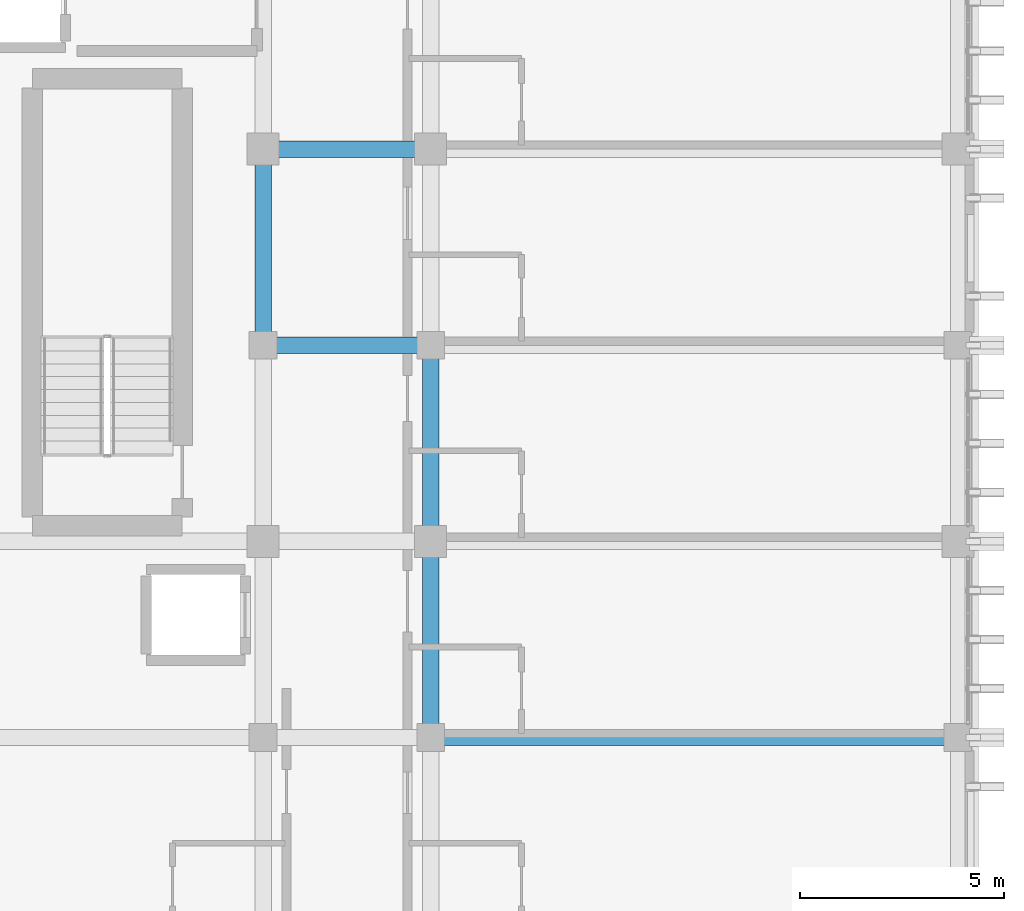
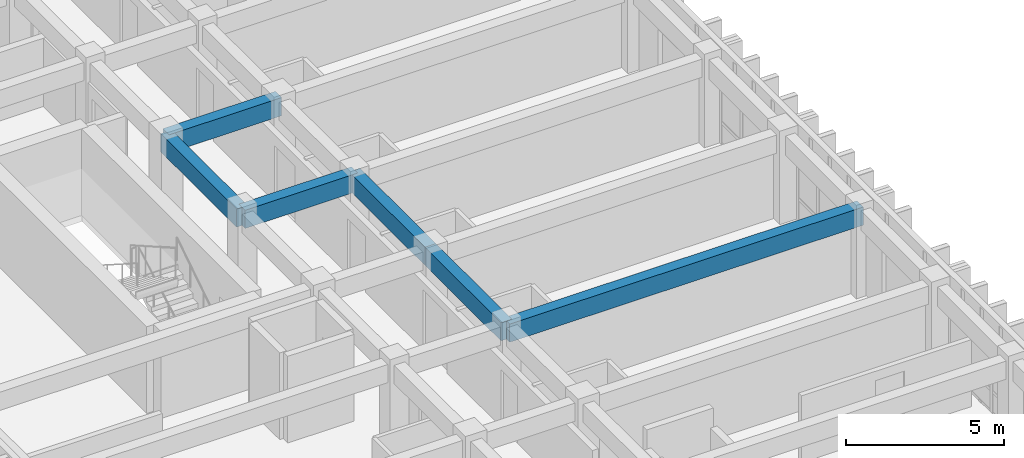
# One storey, part 28 of 68: 6 beams.
"""IFC4 building model written with IfcOpenShell, lengths in metres."""

from ifc_helpers import new_model, si_unit, direction, frame, origin, origin_2d, place, context, subcontext, project, spatial, rectangle, extrude, material, material_profile, profile_set, type_object, element, save


model = new_model("IFC4")

# Units and contexts
model_context = context("Model", 3, precision=1e-05, world=origin(), true_north=direction((0.0, 1.0)))
body_context = subcontext(model_context, "Body", "Model", "MODEL_VIEW")
ifc_project = project(units=[si_unit("LENGTHUNIT", "METRE"), si_unit("AREAUNIT", "SQUARE_METRE"), si_unit("VOLUMEUNIT", "CUBIC_METRE"), si_unit("PLANEANGLEUNIT", "RADIAN"), si_unit("MASSUNIT", "GRAM", prefix="KILO")], contexts=[model_context])

# Site, building, storey
site_placement = place(None, origin())
site = spatial("IfcSite", under=ifc_project, at=site_placement, CompositionType="ELEMENT")
building_placement = place(site_placement, origin())
building = spatial("IfcBuilding", under=site, at=building_placement, Name="Nakhvara Creek Congress Hotel", CompositionType="ELEMENT")
storey_placement = place(building_placement, frame((0.0, 0.0, 24.60009765625)))
storey = spatial("IfcBuildingStorey", under=building, at=storey_placement, Name="L05", CompositionType="ELEMENT", Elevation=24.60009765625)

# Beams
ifc_material = material(Name="Concrete C40/50", Category="concrete")
ifc_material_profile = material_profile(ifc_material, rectangle(XDim=0.39990234375, YDim=0.699951171875, at=origin_2d()), Name="RC-BM 400x700", Category="LoadBearing")
ifc_profile_set = profile_set([ifc_material_profile], Name="Concrete C40/50")
beam_type = type_object("IfcBeamType", Name="BM-RC-400X700", PredefinedType="BEAM", material=ifc_profile_set)
beam_1_placement = place(storey_placement, frame((162.35009765625, 86.39990234375, 2.989990234375), z_axis=(1.0, 0.0, 0.0), x_axis=(0.0, 1.0, 0.0)))
element("IfcBeam", 1, at=beam_1_placement, inside=storey, type_object=beam_type, Name="Beam B05-L05-2104", PredefinedType="BEAM", context=body_context, shape_type="SweptSolid", body=[
    extrude(rectangle(XDim=0.39990234375, YDim=0.699951171875, at=origin_2d()), origin(), (0.0, 0.0, 1.0), 4.099853515625),
])
beam_2_placement = place(storey_placement, frame((162.35009765625, 81.60009765625, 2.989990234375), z_axis=(0.0, 1.0, 0.0), x_axis=(-1.0, 0.0, 0.0)))
element("IfcBeam", 2, at=beam_2_placement, inside=storey, type_object=beam_type, Name="Beam B05-L05-2105", PredefinedType="BEAM", context=body_context, shape_type="SweptSolid", body=[
    extrude(rectangle(XDim=0.39990234375, YDim=0.699951171875, at=origin_2d()), origin(), (0.0, 0.0, 1.0), 4.7998046875),
])
for number, where, z_axis, x_axis, name in (
    (3, (166.449951171875, 72.0, 2.989990234375), (0.0, 1.0, 0.0), (-1.0, 0.0, 0.0), "Beam B05-L05-2131"),
    (4, (166.449951171875, 76.800048828125, 2.989990234375), (0.0, 1.0, 0.0), (-1.0, 0.0, 0.0), "Beam B05-L05-2132"),
):
    element("IfcBeam", number, at=place(storey_placement, frame(where, z_axis=z_axis, x_axis=x_axis)), inside=storey, type_object=beam_type, Name=name, PredefinedType="BEAM", context=body_context, shape_type="SweptSolid", body=[
        extrude(rectangle(XDim=0.39990234375, YDim=0.699951171875, at=origin_2d()), origin(), (0.0, 0.0, 1.0), 4.800048828125),
    ])
beam_3_placement = place(storey_placement, frame((162.35009765625, 81.60009765625, 2.989990234375), z_axis=(1.0, 0.0, 0.0), x_axis=(0.0, 1.0, 0.0)))
element("IfcBeam", 5, at=beam_3_placement, inside=storey, type_object=beam_type, Name="Beam B05-L05-2180", PredefinedType="BEAM", context=body_context, shape_type="SweptSolid", body=[
    extrude(rectangle(XDim=0.39990234375, YDim=0.699951171875, at=origin_2d()), origin(), (0.0, 0.0, 1.0), 4.099853515625),
])
beam_4_placement = place(storey_placement, frame((166.449951171875, 72.0, 2.989990234375), z_axis=(1.0, 0.0, 0.0), x_axis=(0.0, 1.0, 0.0)))
element("IfcBeam", 6, at=beam_4_placement, inside=storey, type_object=beam_type, Name="Beam B05-L05-2187", PredefinedType="BEAM", context=body_context, shape_type="SweptSolid", body=[
    extrude(rectangle(XDim=0.39990234375, YDim=0.699951171875, at=origin_2d()), origin(), (0.0, 0.0, 1.0), 12.900146484375),
])

save(model, "model.ifc")
